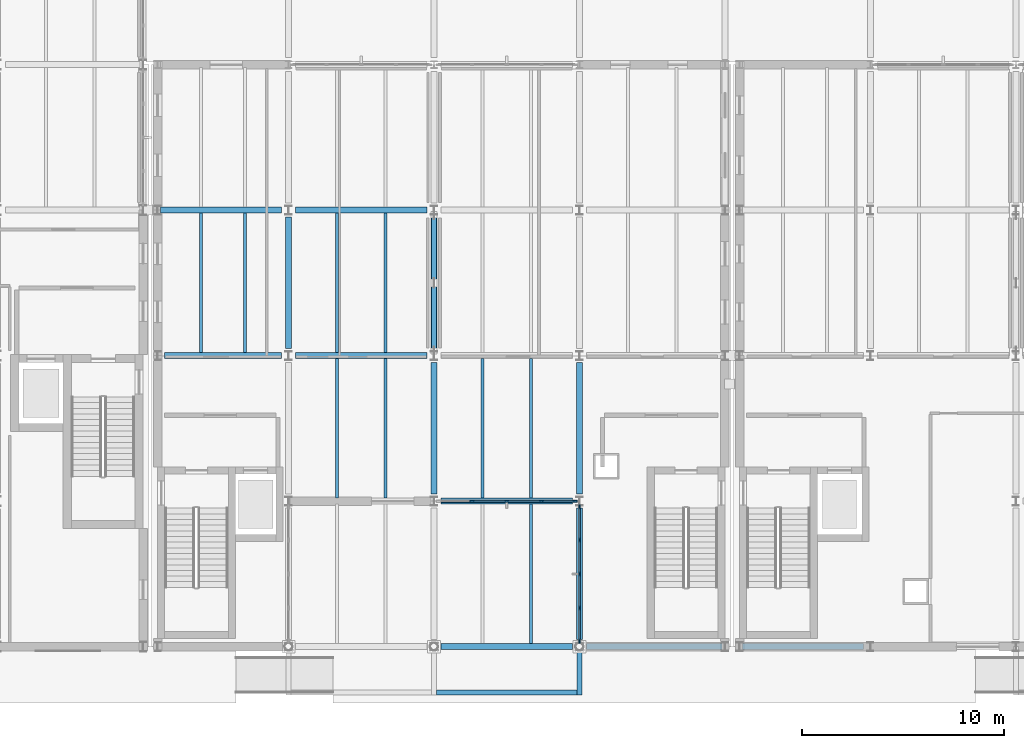
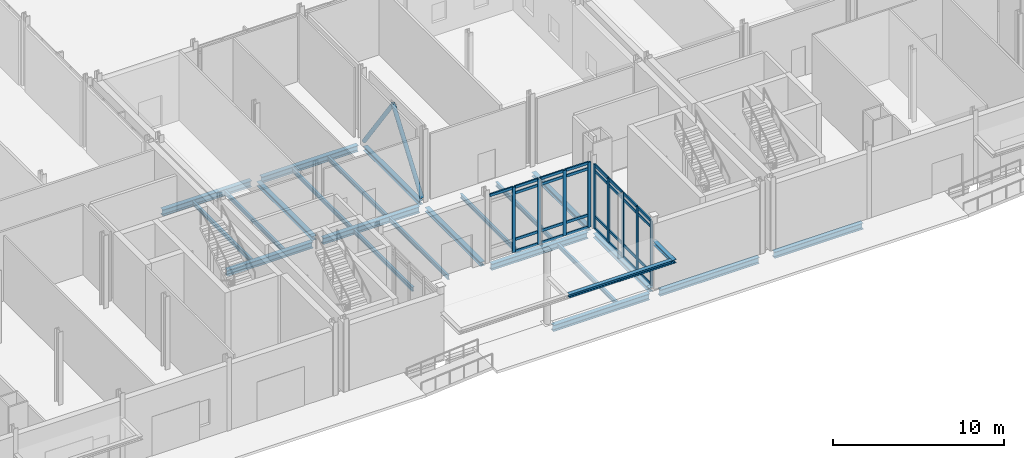
# One storey, part 14 of 89: 40 members, 24 beams, 2 elements without a shape of their own.
"""IFC4 building model written with IfcOpenShell, lengths in metres."""

from ifc_helpers import new_model, si_unit, direction, frame, origin, origin_2d, place, context, subcontext, project, spatial, rectangle, hollow_circle, i_section, extrude, material, layer, layer_set, material_profile, profile_set, type_object, element, aggregate, save


model = new_model("IFC4")

# Units and contexts
model_context = context("Model", 3, precision=1e-05, world=origin(), true_north=direction((0.0, 1.0)))
body_context = subcontext(model_context, "Body", "Model", "MODEL_VIEW")
ifc_project = project(units=[si_unit("LENGTHUNIT", "METRE"), si_unit("AREAUNIT", "SQUARE_METRE"), si_unit("VOLUMEUNIT", "CUBIC_METRE"), si_unit("PLANEANGLEUNIT", "RADIAN"), si_unit("MASSUNIT", "GRAM", prefix="KILO")], contexts=[model_context])

# Site, building, storey
site_placement = place(None, origin())
site = spatial("IfcSite", under=ifc_project, at=site_placement, CompositionType="ELEMENT")
building_placement = place(site_placement, origin())
building = spatial("IfcBuilding", under=site, at=building_placement, Name="Zarrinpeak Specialist Clinic", CompositionType="ELEMENT")
storey_placement = place(building_placement, origin())
storey = spatial("IfcBuildingStorey", under=building, at=storey_placement, Name="L00", CompositionType="ELEMENT", Elevation=0.0)

# Beams
ifc_material_1 = material(Name="Steel S355", Category="steel")
ifc_material_profile_1 = material_profile(ifc_material_1, i_section(OverallWidth=0.260009765625, OverallDepth=0.25, WebThickness=0.007568359375, FlangeThickness=0.012451171875, FilletRadius=0.02392578125, at=origin_2d()), Name="HEA 260")
ifc_profile_set_1 = profile_set([ifc_material_profile_1], Name="Steel S355")
beam_type_1 = type_object("IfcBeamType", Name="BM-HEA260", PredefinedType="BEAM", material=ifc_profile_set_1)
beam_1_placement = place(storey_placement, frame((50.39990234375, 0.0, 3.27490234375), z_axis=(0.0, -1.0, 0.0), x_axis=(1.0, 0.0, 0.0)))
element("IfcBeam", 1, at=beam_1_placement, inside=storey, type_object=beam_type_1, Name="V2 Promenade Arrival Loggia Forecourt Canopy Cantilever Bracket Beam 06", PredefinedType="BEAM", context=body_context, shape_type="SweptSolid", body=[
    extrude(i_section(OverallWidth=0.260009765625, OverallDepth=0.25, WebThickness=0.007568359375, FlangeThickness=0.012451171875, FilletRadius=0.02392578125, at=origin_2d()), origin(), (0.0, 0.0, 1.0), 2.39990234375),
])
beam_2_placement = place(storey_placement, frame((43.330078125, -2.27001953125, 3.27490234375), z_axis=(1.0, 0.0, 0.0), x_axis=(0.0, 1.0, 0.0)))
element("IfcBeam", 2, at=beam_2_placement, inside=storey, type_object=beam_type_1, Name="V2 Promenade Arrival Loggia Forecourt Canopy Front Edge Tie Beam 08", PredefinedType="BEAM", context=body_context, shape_type="SweptSolid", body=[
    extrude(i_section(OverallWidth=0.260009765625, OverallDepth=0.25, WebThickness=0.007568359375, FlangeThickness=0.012451171875, FilletRadius=0.02392578125, at=origin_2d()), origin(), (0.0, 0.0, 1.0), 6.93994140625),
])
ifc_material_profile_2 = material_profile(ifc_material_1, i_section(OverallWidth=0.300048828125, OverallDepth=0.2900390625, WebThickness=0.008544921875, FlangeThickness=0.013916015625, FilletRadius=0.027099609375, at=origin_2d()), Name="HEA 300")
ifc_profile_set_2 = profile_set([ifc_material_profile_2], Name="Steel S355")
beam_type_2 = type_object("IfcBeamType", Name="BM-HEA300", PredefinedType="BEAM", material=ifc_profile_set_2)
for number, where, z_axis, x_axis, name in (
    (3, (36.0, 14.748046875, -0.39501953125), (0.0, 1.0, 0.0), (-1.0, 0.0, 0.0), "L00 Primary Beam BM-L00-Y0265"),
    (4, (43.199951171875, 7.548095703125, -0.39501953125), (0.0, 1.0, 0.0), (-1.0, 0.0, 0.0), "L00 Primary Beam BM-L00-Y0279"),
    (5, (43.199951171875, 14.748046875, -0.39501953125), (0.0, 1.0, 0.0), (-1.0, 0.0, 0.0), "L00 Primary Beam BM-L00-Y0280"),
):
    element("IfcBeam", number, at=place(storey_placement, frame(where, z_axis=z_axis, x_axis=x_axis)), inside=storey, type_object=beam_type_2, Name=name, PredefinedType="BEAM", context=body_context, shape_type="SweptSolid", body=[
        extrude(i_section(OverallWidth=0.300048828125, OverallDepth=0.2900390625, WebThickness=0.008544921875, FlangeThickness=0.013916015625, FilletRadius=0.027099609375, at=origin_2d()), origin(), (0.0, 0.0, 1.0), 6.50390625),
    ])
beam_3_placement = place(storey_placement, frame((50.39990234375, 0.347900390625, -0.39501953125), z_axis=(0.0, 1.0, 0.0), x_axis=(-1.0, 0.0, 0.0)))
element("IfcBeam", 6, at=beam_3_placement, inside=storey, type_object=beam_type_2, Name="L00 Primary Beam BM-L00-Y0295", PredefinedType="BEAM", context=body_context, shape_type="SweptSolid", body=[
    extrude(i_section(OverallWidth=0.300048828125, OverallDepth=0.2900390625, WebThickness=0.008544921875, FlangeThickness=0.013916015625, FilletRadius=0.027099609375, at=origin_2d()), origin(), (0.0, 0.0, 1.0), 6.504150390625),
])
beam_4_placement = place(storey_placement, frame((50.39990234375, 7.548095703125, -0.39501953125), z_axis=(0.0, 1.0, 0.0), x_axis=(-1.0, 0.0, 0.0)))
element("IfcBeam", 7, at=beam_4_placement, inside=storey, type_object=beam_type_2, Name="L00 Primary Beam BM-L00-Y0296", PredefinedType="BEAM", context=body_context, shape_type="SweptSolid", body=[
    extrude(i_section(OverallWidth=0.300048828125, OverallDepth=0.2900390625, WebThickness=0.008544921875, FlangeThickness=0.013916015625, FilletRadius=0.027099609375, at=origin_2d()), origin(), (0.0, 0.0, 1.0), 6.50390625),
])
ifc_material_profile_3 = material_profile(ifc_material_1, i_section(OverallWidth=0.300048828125, OverallDepth=0.43994140625, WebThickness=0.011474609375, FlangeThickness=0.02099609375, FilletRadius=0.027099609375, at=origin_2d()), Name="HEA 450")
ifc_profile_set_3 = profile_set([ifc_material_profile_3], Name="Steel S355")
beam_type_3 = type_object("IfcBeamType", Name="BM-HEA450", PredefinedType="BEAM", material=ifc_profile_set_3)
beam_5_placement = place(storey_placement, frame((43.548095703125, 0.0, -0.469970703125), z_axis=(1.0, 0.0, 0.0), x_axis=(0.0, 1.0, 0.0)))
element("IfcBeam", 8, at=beam_5_placement, inside=storey, type_object=beam_type_3, Name="L00 Primary Floor Girder BM-L00-X0007", PredefinedType="BEAM", context=body_context, shape_type="SweptSolid", body=[
    extrude(i_section(OverallWidth=0.300048828125, OverallDepth=0.43994140625, WebThickness=0.011474609375, FlangeThickness=0.02099609375, FilletRadius=0.027099609375, at=origin_2d()), origin(), (0.0, 0.0, 1.0), 6.50390625),
])
beam_6_placement = place(storey_placement, frame((50.748046875, 0.0, -0.469970703125), z_axis=(1.0, 0.0, 0.0), x_axis=(0.0, 1.0, 0.0)))
element("IfcBeam", 9, at=beam_6_placement, inside=storey, type_object=beam_type_3, Name="L00 Primary Floor Girder BM-L00-X0008", PredefinedType="BEAM", context=body_context, shape_type="SweptSolid", body=[
    extrude(i_section(OverallWidth=0.300048828125, OverallDepth=0.43994140625, WebThickness=0.011474609375, FlangeThickness=0.02099609375, FilletRadius=0.027099609375, at=origin_2d()), origin(), (0.0, 0.0, 1.0), 6.703857421875),
])
beam_7_placement = place(storey_placement, frame((58.468017578125, 0.0, -0.469970703125), z_axis=(1.0, 0.0, 0.0), x_axis=(0.0, 1.0, 0.0)))
element("IfcBeam", 10, at=beam_7_placement, inside=storey, type_object=beam_type_3, Name="L00 Primary Floor Girder BM-L00-X0009", PredefinedType="BEAM", context=body_context, shape_type="SweptSolid", body=[
    extrude(i_section(OverallWidth=0.300048828125, OverallDepth=0.43994140625, WebThickness=0.011474609375, FlangeThickness=0.02099609375, FilletRadius=0.027099609375, at=origin_2d()), origin(), (0.0, 0.0, 1.0), 5.98388671875),
])
beam_8_placement = place(storey_placement, frame((43.548095703125, 7.199951171875, -0.469970703125), z_axis=(1.0, 0.0, 0.0), x_axis=(0.0, 1.0, 0.0)))
element("IfcBeam", 11, at=beam_8_placement, inside=storey, type_object=beam_type_3, Name="L00 Primary Floor Girder BM-L00-X0016", PredefinedType="BEAM", context=body_context, shape_type="SweptSolid", body=[
    extrude(i_section(OverallWidth=0.300048828125, OverallDepth=0.43994140625, WebThickness=0.011474609375, FlangeThickness=0.02099609375, FilletRadius=0.027099609375, at=origin_2d()), origin(), (0.0, 0.0, 1.0), 6.50390625),
])
beam_9_placement = place(storey_placement, frame((29.867919921875, 14.39990234375, -0.469970703125), z_axis=(1.0, 0.0, 0.0), x_axis=(0.0, 1.0, 0.0)))
element("IfcBeam", 12, at=beam_9_placement, inside=storey, type_object=beam_type_3, Name="L00 Primary Floor Girder BM-L00-X0020", PredefinedType="BEAM", context=body_context, shape_type="SweptSolid", body=[
    extrude(i_section(OverallWidth=0.300048828125, OverallDepth=0.43994140625, WebThickness=0.011474609375, FlangeThickness=0.02099609375, FilletRadius=0.027099609375, at=origin_2d()), origin(), (0.0, 0.0, 1.0), 5.7841796875),
])
beam_10_placement = place(storey_placement, frame((36.347900390625, 14.39990234375, -0.469970703125), z_axis=(1.0, 0.0, 0.0), x_axis=(0.0, 1.0, 0.0)))
element("IfcBeam", 13, at=beam_10_placement, inside=storey, type_object=beam_type_3, Name="L00 Primary Floor Girder BM-L00-X0021", PredefinedType="BEAM", context=body_context, shape_type="SweptSolid", body=[
    extrude(i_section(OverallWidth=0.300048828125, OverallDepth=0.43994140625, WebThickness=0.011474609375, FlangeThickness=0.02099609375, FilletRadius=0.027099609375, at=origin_2d()), origin(), (0.0, 0.0, 1.0), 6.504150390625),
])
beam_11_placement = place(storey_placement, frame((29.66796875, 21.60009765625, -0.469970703125), z_axis=(1.0, 0.0, 0.0), x_axis=(0.0, 1.0, 0.0)))
element("IfcBeam", 14, at=beam_11_placement, inside=storey, type_object=beam_type_3, Name="L00 Primary Floor Girder BM-L00-X0032", PredefinedType="BEAM", context=body_context, shape_type="SweptSolid", body=[
    extrude(i_section(OverallWidth=0.300048828125, OverallDepth=0.43994140625, WebThickness=0.011474609375, FlangeThickness=0.02099609375, FilletRadius=0.027099609375, at=origin_2d()), origin(), (0.0, 0.0, 1.0), 5.984130859375),
])
beam_12_placement = place(storey_placement, frame((36.347900390625, 21.60009765625, -0.469970703125), z_axis=(1.0, 0.0, 0.0), x_axis=(0.0, 1.0, 0.0)))
element("IfcBeam", 15, at=beam_12_placement, inside=storey, type_object=beam_type_3, Name="L00 Primary Floor Girder BM-L00-X0033", PredefinedType="BEAM", context=body_context, shape_type="SweptSolid", body=[
    extrude(i_section(OverallWidth=0.300048828125, OverallDepth=0.43994140625, WebThickness=0.011474609375, FlangeThickness=0.02099609375, FilletRadius=0.027099609375, at=origin_2d()), origin(), (0.0, 0.0, 1.0), 6.504150390625),
])
ifc_material_profile_4 = material_profile(ifc_material_1, i_section(OverallWidth=0.14990234375, OverallDepth=0.300048828125, WebThickness=0.007080078125, FlangeThickness=0.0107421875, FilletRadius=0.014892578125, at=origin_2d()), Name="IPE 300")
ifc_profile_set_4 = profile_set([ifc_material_profile_4], Name="Steel S355")
beam_type_4 = type_object("IfcBeamType", Name="BM-JST300", PredefinedType="JOIST", material=ifc_profile_set_4)
for number, where, z_axis, x_axis, name in (
    (16, (31.679931640625, 14.548095703125, -0.39990234375), (0.0, 1.0, 0.0), (-1.0, 0.0, 0.0), "L00 Composite Floor Joist JST-L00-0457"),
    (17, (33.840087890625, 14.548095703125, -0.39990234375), (0.0, 1.0, 0.0), (-1.0, 0.0, 0.0), "L00 Composite Floor Joist JST-L00-0458"),
):
    element("IfcBeam", number, at=place(storey_placement, frame(where, z_axis=z_axis, x_axis=x_axis)), inside=storey, type_object=beam_type_4, Name=name, PredefinedType="JOIST", context=body_context, shape_type="SweptSolid", body=[
        extrude(i_section(OverallWidth=0.14990234375, OverallDepth=0.300048828125, WebThickness=0.007080078125, FlangeThickness=0.0107421875, FilletRadius=0.014892578125, at=origin_2d()), origin(), (0.0, 0.0, 1.0), 6.90380859375),
    ])
for number, where, z_axis, x_axis, name in (
    (18, (38.39990234375, 7.347900390625, -0.39990234375), (0.0, 1.0, 0.0), (-1.0, 0.0, 0.0), "L00 Composite Floor Joist JST-L00-0463"),
    (19, (40.800048828125, 7.347900390625, -0.39990234375), (0.0, 1.0, 0.0), (-1.0, 0.0, 0.0), "L00 Composite Floor Joist JST-L00-0464"),
):
    element("IfcBeam", number, at=place(storey_placement, frame(where, z_axis=z_axis, x_axis=x_axis)), inside=storey, type_object=beam_type_4, Name=name, PredefinedType="JOIST", context=body_context, shape_type="SweptSolid", body=[
        extrude(i_section(OverallWidth=0.14990234375, OverallDepth=0.300048828125, WebThickness=0.007080078125, FlangeThickness=0.0107421875, FilletRadius=0.014892578125, at=origin_2d()), origin(), (0.0, 0.0, 1.0), 6.904052734375),
    ])
for number, where, z_axis, x_axis, name in (
    (20, (38.39990234375, 14.548095703125, -0.39990234375), (0.0, 1.0, 0.0), (-1.0, 0.0, 0.0), "L00 Composite Floor Joist JST-L00-0465"),
    (21, (40.800048828125, 14.548095703125, -0.39990234375), (0.0, 1.0, 0.0), (-1.0, 0.0, 0.0), "L00 Composite Floor Joist JST-L00-0466"),
):
    element("IfcBeam", number, at=place(storey_placement, frame(where, z_axis=z_axis, x_axis=x_axis)), inside=storey, type_object=beam_type_4, Name=name, PredefinedType="JOIST", context=body_context, shape_type="SweptSolid", body=[
        extrude(i_section(OverallWidth=0.14990234375, OverallDepth=0.300048828125, WebThickness=0.007080078125, FlangeThickness=0.0107421875, FilletRadius=0.014892578125, at=origin_2d()), origin(), (0.0, 0.0, 1.0), 6.90380859375),
    ])
for number, where, z_axis, x_axis, name in (
    (22, (48.0, 0.14794921875, -0.39990234375), (0.0, 1.0, 0.0), (-1.0, 0.0, 0.0), "L00 Composite Floor Joist JST-L00-0470"),
    (23, (45.60009765625, 7.347900390625, -0.39990234375), (0.0, 1.0, 0.0), (-1.0, 0.0, 0.0), "L00 Composite Floor Joist JST-L00-0471"),
    (24, (48.0, 7.347900390625, -0.39990234375), (0.0, 1.0, 0.0), (-1.0, 0.0, 0.0), "L00 Composite Floor Joist JST-L00-0472"),
):
    element("IfcBeam", number, at=place(storey_placement, frame(where, z_axis=z_axis, x_axis=x_axis)), inside=storey, type_object=beam_type_4, Name=name, PredefinedType="JOIST", context=body_context, shape_type="SweptSolid", body=[
        extrude(i_section(OverallWidth=0.14990234375, OverallDepth=0.300048828125, WebThickness=0.007080078125, FlangeThickness=0.0107421875, FilletRadius=0.014892578125, at=origin_2d()), origin(), (0.0, 0.0, 1.0), 6.904052734375),
    ])

# Curtain wall, members
ifc_material_2 = material(Name="Anodised Aluminium Alloy 6063-T6", Category="aluminium")
ifc_layer = layer(ifc_material_2, 0.18994140625)
ifc_layer_set = layer_set([ifc_layer], Name="Anodised Aluminium Alloy 6063-T6")
curtain_wall_type = type_object("IfcCurtainWallType", Name="CW-LOGGIA", PredefinedType="NOTDEFINED", material=ifc_layer_set)
curtain_wall_1_placement = place(storey_placement, origin())
curtain_wall_1 = element("IfcCurtainWall", 25, at=curtain_wall_1_placement, inside=storey, type_object=curtain_wall_type, Name="L00 V2 Unitised Curtain Wall CW-L00-V2-040", PredefinedType="NOTDEFINED")
ifc_material_profile_5 = material_profile(ifc_material_2, rectangle(XDim=0.090087890625, YDim=0.219970703125, at=origin_2d()), Name="ALU 90x220")
ifc_profile_set_5 = profile_set([ifc_material_profile_5], Name="Anodised Aluminium Alloy 6063-T6")
member_type_1 = type_object("IfcMemberType", Name="CWM-90", PredefinedType="MULLION", material=ifc_profile_set_5)
member_1_placement = place(storey_placement, frame((45.08740234375, 7.199951171875, 0.0), z_axis=(0.0, 0.0, 1.0), x_axis=(0.0, 1.0, 0.0)))
member_1 = element("IfcMember", 26, at=member_1_placement, type_object=member_type_1, Name="CW-04 mullion 2", PredefinedType="MULLION", context=body_context, shape_type="SweptSolid", body=[
    extrude(rectangle(XDim=0.090087890625, YDim=0.219970703125, at=origin_2d()), origin(), (0.0, 0.0, 1.0), 4.6650390625),
])
member_2_placement = place(storey_placement, frame((46.800048828125, 7.199951171875, 0.0), z_axis=(0.0, 0.0, 1.0), x_axis=(0.0, 1.0, 0.0)))
member_2 = element("IfcMember", 27, at=member_2_placement, type_object=member_type_1, Name="CW-04 mullion 3", PredefinedType="MULLION", context=body_context, shape_type="SweptSolid", body=[
    extrude(rectangle(XDim=0.090087890625, YDim=0.219970703125, at=origin_2d()), origin(), (0.0, 0.0, 1.0), 4.6650390625),
])
member_3_placement = place(storey_placement, frame((48.512451171875, 7.199951171875, 0.0), z_axis=(0.0, 0.0, 1.0), x_axis=(0.0, 1.0, 0.0)))
member_3 = element("IfcMember", 28, at=member_3_placement, type_object=member_type_1, Name="CW-04 mullion 4", PredefinedType="MULLION", context=body_context, shape_type="SweptSolid", body=[
    extrude(rectangle(XDim=0.090087890625, YDim=0.219970703125, at=origin_2d()), origin(), (0.0, 0.0, 1.0), 4.6650390625),
])
member_4_placement = place(storey_placement, frame((50.179931640625, 7.199951171875, 0.0), z_axis=(0.0, 0.0, 1.0), x_axis=(0.0, 1.0, 0.0)))
member_4 = element("IfcMember", 29, at=member_4_placement, type_object=member_type_1, Name="CW-04 mullion 5", PredefinedType="MULLION", context=body_context, shape_type="SweptSolid", body=[
    extrude(rectangle(XDim=0.090087890625, YDim=0.219970703125, at=origin_2d()), origin(), (0.0, 0.0, 1.0), 4.6650390625),
])

curtain_wall_2_placement = place(storey_placement, origin())
curtain_wall_2 = element("IfcCurtainWall", 30, at=curtain_wall_2_placement, inside=storey, type_object=curtain_wall_type, Name="L00 V2 Unitised Curtain Wall CW-L00-V2-042", PredefinedType="NOTDEFINED")
member_5_placement = place(storey_placement, frame((50.39990234375, 6.905029296875, 0.0), z_axis=(0.0, 0.0, 1.0), x_axis=(1.0, 0.0, 0.0)))
member_5 = element("IfcMember", 31, at=member_5_placement, type_object=member_type_1, Name="CW-04 mullion 1", PredefinedType="MULLION", context=body_context, shape_type="SweptSolid", body=[
    extrude(rectangle(XDim=0.090087890625, YDim=0.219970703125, at=origin_2d()), origin(), (0.0, 0.0, 1.0), 4.594970703125),
])
member_6_placement = place(storey_placement, frame((50.39990234375, 5.26953125, 0.0), z_axis=(0.0, 0.0, 1.0), x_axis=(1.0, 0.0, 0.0)))
member_6 = element("IfcMember", 32, at=member_6_placement, type_object=member_type_1, Name="CW-04 mullion 2", PredefinedType="MULLION", context=body_context, shape_type="SweptSolid", body=[
    extrude(rectangle(XDim=0.090087890625, YDim=0.219970703125, at=origin_2d()), origin(), (0.0, 0.0, 1.0), 4.594970703125),
])
member_7_placement = place(storey_placement, frame((50.39990234375, 3.589111328125, 0.0), z_axis=(0.0, 0.0, 1.0), x_axis=(1.0, 0.0, 0.0)))
member_7 = element("IfcMember", 33, at=member_7_placement, type_object=member_type_1, Name="CW-04 mullion 3", PredefinedType="MULLION", context=body_context, shape_type="SweptSolid", body=[
    extrude(rectangle(XDim=0.090087890625, YDim=0.219970703125, at=origin_2d()), origin(), (0.0, 0.0, 1.0), 4.594970703125),
])
member_8_placement = place(storey_placement, frame((50.39990234375, 1.90869140625, 0.0), z_axis=(0.0, 0.0, 1.0), x_axis=(1.0, 0.0, 0.0)))
member_8 = element("IfcMember", 34, at=member_8_placement, type_object=member_type_1, Name="CW-04 mullion 4", PredefinedType="MULLION", context=body_context, shape_type="SweptSolid", body=[
    extrude(rectangle(XDim=0.090087890625, YDim=0.219970703125, at=origin_2d()), origin(), (0.0, 0.0, 1.0), 4.594970703125),
])
member_9_placement = place(storey_placement, frame((50.39990234375, 0.273193359375, 0.0), z_axis=(0.0, 0.0, 1.0), x_axis=(1.0, 0.0, 0.0)))
member_9 = element("IfcMember", 35, at=member_9_placement, type_object=member_type_1, Name="CW-04 mullion 5", PredefinedType="MULLION", context=body_context, shape_type="SweptSolid", body=[
    extrude(rectangle(XDim=0.090087890625, YDim=0.219970703125, at=origin_2d()), origin(), (0.0, 0.0, 1.0), 4.594970703125),
])

# Member
ifc_material_profile_6 = material_profile(ifc_material_2, rectangle(XDim=0.090087890625, YDim=0.18994140625, at=origin_2d()), Name="ALU 90x190")
ifc_profile_set_6 = profile_set([ifc_material_profile_6], Name="Anodised Aluminium Alloy 6063-T6")
member_type_2 = type_object("IfcMemberType", Name="CWT-90", PredefinedType="USERDEFINED", material=ifc_profile_set_6)
member_10_placement = place(storey_placement, frame((43.465087890625, 7.199951171875, 4.6201171875), z_axis=(1.0, 0.0, 0.0), x_axis=(0.0, 1.0, 0.0)))
member_10 = element("IfcMember", 36, at=member_10_placement, type_object=member_type_2, Name="CW-04 transom 1.4", ObjectType="TRANSOM", PredefinedType="USERDEFINED", context=body_context, shape_type="SweptSolid", body=[
    extrude(rectangle(XDim=0.090087890625, YDim=0.18994140625, at=origin_2d()), origin(), (0.0, 0.0, 1.0), 1.577392578125),
])

member_11_placement = place(storey_placement, frame((45.132568359375, 7.199951171875, 0.044921875), z_axis=(1.0, 0.0, 0.0), x_axis=(0.0, 1.0, 0.0)))
member_11 = element("IfcMember", 37, at=member_11_placement, type_object=member_type_2, Name="CW-04 transom 2.1", ObjectType="TRANSOM", PredefinedType="USERDEFINED", context=body_context, shape_type="SweptSolid", body=[
    extrude(rectangle(XDim=0.090087890625, YDim=0.18994140625, at=origin_2d()), origin(), (0.0, 0.0, 1.0), 1.622314453125),
])

member_12_placement = place(storey_placement, frame((45.132568359375, 7.199951171875, 0.89990234375), z_axis=(1.0, 0.0, 0.0), x_axis=(0.0, 1.0, 0.0)))
member_12 = element("IfcMember", 38, at=member_12_placement, type_object=member_type_2, Name="CW-04 transom 2.2", ObjectType="TRANSOM", PredefinedType="USERDEFINED", context=body_context, shape_type="SweptSolid", body=[
    extrude(rectangle(XDim=0.090087890625, YDim=0.18994140625, at=origin_2d()), origin(), (0.0, 0.0, 1.0), 1.622314453125),
])

member_13_placement = place(storey_placement, frame((45.132568359375, 7.199951171875, 4.215087890625), z_axis=(1.0, 0.0, 0.0), x_axis=(0.0, 1.0, 0.0)))
member_13 = element("IfcMember", 39, at=member_13_placement, type_object=member_type_2, Name="CW-04 transom 2.3", ObjectType="TRANSOM", PredefinedType="USERDEFINED", context=body_context, shape_type="SweptSolid", body=[
    extrude(rectangle(XDim=0.090087890625, YDim=0.18994140625, at=origin_2d()), origin(), (0.0, 0.0, 1.0), 1.622314453125),
])

member_14_placement = place(storey_placement, frame((45.132568359375, 7.199951171875, 4.6201171875), z_axis=(1.0, 0.0, 0.0), x_axis=(0.0, 1.0, 0.0)))
member_14 = element("IfcMember", 40, at=member_14_placement, type_object=member_type_2, Name="CW-04 transom 2.4", ObjectType="TRANSOM", PredefinedType="USERDEFINED", context=body_context, shape_type="SweptSolid", body=[
    extrude(rectangle(XDim=0.090087890625, YDim=0.18994140625, at=origin_2d()), origin(), (0.0, 0.0, 1.0), 1.622314453125),
])

member_15_placement = place(storey_placement, frame((46.844970703125, 7.199951171875, 0.044921875), z_axis=(1.0, 0.0, 0.0), x_axis=(0.0, 1.0, 0.0)))
member_15 = element("IfcMember", 41, at=member_15_placement, type_object=member_type_2, Name="CW-04 transom 3.1", ObjectType="TRANSOM", PredefinedType="USERDEFINED", context=body_context, shape_type="SweptSolid", body=[
    extrude(rectangle(XDim=0.090087890625, YDim=0.18994140625, at=origin_2d()), origin(), (0.0, 0.0, 1.0), 1.62255859375),
])

member_16_placement = place(storey_placement, frame((46.844970703125, 7.199951171875, 0.89990234375), z_axis=(1.0, 0.0, 0.0), x_axis=(0.0, 1.0, 0.0)))
member_16 = element("IfcMember", 42, at=member_16_placement, type_object=member_type_2, Name="CW-04 transom 3.2", ObjectType="TRANSOM", PredefinedType="USERDEFINED", context=body_context, shape_type="SweptSolid", body=[
    extrude(rectangle(XDim=0.090087890625, YDim=0.18994140625, at=origin_2d()), origin(), (0.0, 0.0, 1.0), 1.62255859375),
])

member_17_placement = place(storey_placement, frame((46.844970703125, 7.199951171875, 4.215087890625), z_axis=(1.0, 0.0, 0.0), x_axis=(0.0, 1.0, 0.0)))
member_17 = element("IfcMember", 43, at=member_17_placement, type_object=member_type_2, Name="CW-04 transom 3.3", ObjectType="TRANSOM", PredefinedType="USERDEFINED", context=body_context, shape_type="SweptSolid", body=[
    extrude(rectangle(XDim=0.090087890625, YDim=0.18994140625, at=origin_2d()), origin(), (0.0, 0.0, 1.0), 1.62255859375),
])

member_18_placement = place(storey_placement, frame((46.844970703125, 7.199951171875, 4.6201171875), z_axis=(1.0, 0.0, 0.0), x_axis=(0.0, 1.0, 0.0)))
member_18 = element("IfcMember", 44, at=member_18_placement, type_object=member_type_2, Name="CW-04 transom 3.4", ObjectType="TRANSOM", PredefinedType="USERDEFINED", context=body_context, shape_type="SweptSolid", body=[
    extrude(rectangle(XDim=0.090087890625, YDim=0.18994140625, at=origin_2d()), origin(), (0.0, 0.0, 1.0), 1.62255859375),
])

member_19_placement = place(storey_placement, frame((48.5576171875, 7.199951171875, 0.044921875), z_axis=(1.0, 0.0, 0.0), x_axis=(0.0, 1.0, 0.0)))
member_19 = element("IfcMember", 45, at=member_19_placement, type_object=member_type_2, Name="CW-04 transom 4.1", ObjectType="TRANSOM", PredefinedType="USERDEFINED", context=body_context, shape_type="SweptSolid", body=[
    extrude(rectangle(XDim=0.090087890625, YDim=0.18994140625, at=origin_2d()), origin(), (0.0, 0.0, 1.0), 1.577392578125),
])

member_20_placement = place(storey_placement, frame((48.5576171875, 7.199951171875, 0.89990234375), z_axis=(1.0, 0.0, 0.0), x_axis=(0.0, 1.0, 0.0)))
member_20 = element("IfcMember", 46, at=member_20_placement, type_object=member_type_2, Name="CW-04 transom 4.2", ObjectType="TRANSOM", PredefinedType="USERDEFINED", context=body_context, shape_type="SweptSolid", body=[
    extrude(rectangle(XDim=0.090087890625, YDim=0.18994140625, at=origin_2d()), origin(), (0.0, 0.0, 1.0), 1.577392578125),
])

member_21_placement = place(storey_placement, frame((48.5576171875, 7.199951171875, 4.215087890625), z_axis=(1.0, 0.0, 0.0), x_axis=(0.0, 1.0, 0.0)))
member_21 = element("IfcMember", 47, at=member_21_placement, type_object=member_type_2, Name="CW-04 transom 4.3", ObjectType="TRANSOM", PredefinedType="USERDEFINED", context=body_context, shape_type="SweptSolid", body=[
    extrude(rectangle(XDim=0.090087890625, YDim=0.18994140625, at=origin_2d()), origin(), (0.0, 0.0, 1.0), 1.577392578125),
])

member_22_placement = place(storey_placement, frame((48.5576171875, 7.199951171875, 4.6201171875), z_axis=(1.0, 0.0, 0.0), x_axis=(0.0, 1.0, 0.0)))
member_22 = element("IfcMember", 48, at=member_22_placement, type_object=member_type_2, Name="CW-04 transom 4.4", ObjectType="TRANSOM", PredefinedType="USERDEFINED", context=body_context, shape_type="SweptSolid", body=[
    extrude(rectangle(XDim=0.090087890625, YDim=0.18994140625, at=origin_2d()), origin(), (0.0, 0.0, 1.0), 1.577392578125),
])

aggregate(curtain_wall_1, [member_1, member_2, member_3, member_4, member_10, member_11, member_12, member_13, member_14, member_15, member_16, member_17, member_18, member_19, member_20, member_21, member_22])

member_23_placement = place(storey_placement, frame((50.39990234375, 6.860107421875, 0.044921875), z_axis=(0.0, -1.0, 0.0), x_axis=(1.0, 0.0, 0.0)))
member_23 = element("IfcMember", 49, at=member_23_placement, type_object=member_type_2, Name="CW-04 transom 1.1", ObjectType="TRANSOM", PredefinedType="USERDEFINED", context=body_context, shape_type="SweptSolid", body=[
    extrude(rectangle(XDim=0.090087890625, YDim=0.18994140625, at=origin_2d()), origin(), (0.0, 0.0, 1.0), 1.545654296875),
])

member_24_placement = place(storey_placement, frame((50.39990234375, 6.860107421875, 0.89990234375), z_axis=(0.0, -1.0, 0.0), x_axis=(1.0, 0.0, 0.0)))
member_24 = element("IfcMember", 50, at=member_24_placement, type_object=member_type_2, Name="CW-04 transom 1.2", ObjectType="TRANSOM", PredefinedType="USERDEFINED", context=body_context, shape_type="SweptSolid", body=[
    extrude(rectangle(XDim=0.090087890625, YDim=0.18994140625, at=origin_2d()), origin(), (0.0, 0.0, 1.0), 1.545654296875),
])

member_25_placement = place(storey_placement, frame((50.39990234375, 6.860107421875, 4.14501953125), z_axis=(0.0, -1.0, 0.0), x_axis=(1.0, 0.0, 0.0)))
member_25 = element("IfcMember", 51, at=member_25_placement, type_object=member_type_2, Name="CW-04 transom 1.3", ObjectType="TRANSOM", PredefinedType="USERDEFINED", context=body_context, shape_type="SweptSolid", body=[
    extrude(rectangle(XDim=0.090087890625, YDim=0.18994140625, at=origin_2d()), origin(), (0.0, 0.0, 1.0), 1.545654296875),
])

member_26_placement = place(storey_placement, frame((50.39990234375, 6.860107421875, 4.550048828125), z_axis=(0.0, -1.0, 0.0), x_axis=(1.0, 0.0, 0.0)))
member_26 = element("IfcMember", 52, at=member_26_placement, type_object=member_type_2, Name="CW-04 transom 1.4", ObjectType="TRANSOM", PredefinedType="USERDEFINED", context=body_context, shape_type="SweptSolid", body=[
    extrude(rectangle(XDim=0.090087890625, YDim=0.18994140625, at=origin_2d()), origin(), (0.0, 0.0, 1.0), 1.545654296875),
])

member_27_placement = place(storey_placement, frame((50.39990234375, 5.224609375, 0.044921875), z_axis=(0.0, -1.0, 0.0), x_axis=(1.0, 0.0, 0.0)))
member_27 = element("IfcMember", 53, at=member_27_placement, type_object=member_type_2, Name="CW-04 transom 2.1", ObjectType="TRANSOM", PredefinedType="USERDEFINED", context=body_context, shape_type="SweptSolid", body=[
    extrude(rectangle(XDim=0.090087890625, YDim=0.18994140625, at=origin_2d()), origin(), (0.0, 0.0, 1.0), 1.590576171875),
])

member_28_placement = place(storey_placement, frame((50.39990234375, 5.224609375, 0.89990234375), z_axis=(0.0, -1.0, 0.0), x_axis=(1.0, 0.0, 0.0)))
member_28 = element("IfcMember", 54, at=member_28_placement, type_object=member_type_2, Name="CW-04 transom 2.2", ObjectType="TRANSOM", PredefinedType="USERDEFINED", context=body_context, shape_type="SweptSolid", body=[
    extrude(rectangle(XDim=0.090087890625, YDim=0.18994140625, at=origin_2d()), origin(), (0.0, 0.0, 1.0), 1.590576171875),
])

member_29_placement = place(storey_placement, frame((50.39990234375, 5.224609375, 4.14501953125), z_axis=(0.0, -1.0, 0.0), x_axis=(1.0, 0.0, 0.0)))
member_29 = element("IfcMember", 55, at=member_29_placement, type_object=member_type_2, Name="CW-04 transom 2.3", ObjectType="TRANSOM", PredefinedType="USERDEFINED", context=body_context, shape_type="SweptSolid", body=[
    extrude(rectangle(XDim=0.090087890625, YDim=0.18994140625, at=origin_2d()), origin(), (0.0, 0.0, 1.0), 1.590576171875),
])

member_30_placement = place(storey_placement, frame((50.39990234375, 5.224609375, 4.550048828125), z_axis=(0.0, -1.0, 0.0), x_axis=(1.0, 0.0, 0.0)))
member_30 = element("IfcMember", 56, at=member_30_placement, type_object=member_type_2, Name="CW-04 transom 2.4", ObjectType="TRANSOM", PredefinedType="USERDEFINED", context=body_context, shape_type="SweptSolid", body=[
    extrude(rectangle(XDim=0.090087890625, YDim=0.18994140625, at=origin_2d()), origin(), (0.0, 0.0, 1.0), 1.590576171875),
])

member_31_placement = place(storey_placement, frame((50.39990234375, 3.544189453125, 0.044921875), z_axis=(0.0, -1.0, 0.0), x_axis=(1.0, 0.0, 0.0)))
member_31 = element("IfcMember", 57, at=member_31_placement, type_object=member_type_2, Name="CW-04 transom 3.1", ObjectType="TRANSOM", PredefinedType="USERDEFINED", context=body_context, shape_type="SweptSolid", body=[
    extrude(rectangle(XDim=0.090087890625, YDim=0.18994140625, at=origin_2d()), origin(), (0.0, 0.0, 1.0), 1.590576171875),
])

member_32_placement = place(storey_placement, frame((50.39990234375, 3.544189453125, 0.89990234375), z_axis=(0.0, -1.0, 0.0), x_axis=(1.0, 0.0, 0.0)))
member_32 = element("IfcMember", 58, at=member_32_placement, type_object=member_type_2, Name="CW-04 transom 3.2", ObjectType="TRANSOM", PredefinedType="USERDEFINED", context=body_context, shape_type="SweptSolid", body=[
    extrude(rectangle(XDim=0.090087890625, YDim=0.18994140625, at=origin_2d()), origin(), (0.0, 0.0, 1.0), 1.590576171875),
])

member_33_placement = place(storey_placement, frame((50.39990234375, 3.544189453125, 4.14501953125), z_axis=(0.0, -1.0, 0.0), x_axis=(1.0, 0.0, 0.0)))
member_33 = element("IfcMember", 59, at=member_33_placement, type_object=member_type_2, Name="CW-04 transom 3.3", ObjectType="TRANSOM", PredefinedType="USERDEFINED", context=body_context, shape_type="SweptSolid", body=[
    extrude(rectangle(XDim=0.090087890625, YDim=0.18994140625, at=origin_2d()), origin(), (0.0, 0.0, 1.0), 1.590576171875),
])

member_34_placement = place(storey_placement, frame((50.39990234375, 3.544189453125, 4.550048828125), z_axis=(0.0, -1.0, 0.0), x_axis=(1.0, 0.0, 0.0)))
member_34 = element("IfcMember", 60, at=member_34_placement, type_object=member_type_2, Name="CW-04 transom 3.4", ObjectType="TRANSOM", PredefinedType="USERDEFINED", context=body_context, shape_type="SweptSolid", body=[
    extrude(rectangle(XDim=0.090087890625, YDim=0.18994140625, at=origin_2d()), origin(), (0.0, 0.0, 1.0), 1.590576171875),
])

member_35_placement = place(storey_placement, frame((50.39990234375, 1.86376953125, 0.044921875), z_axis=(0.0, -1.0, 0.0), x_axis=(1.0, 0.0, 0.0)))
member_35 = element("IfcMember", 61, at=member_35_placement, type_object=member_type_2, Name="CW-04 transom 4.1", ObjectType="TRANSOM", PredefinedType="USERDEFINED", context=body_context, shape_type="SweptSolid", body=[
    extrude(rectangle(XDim=0.090087890625, YDim=0.18994140625, at=origin_2d()), origin(), (0.0, 0.0, 1.0), 1.545654296875),
])

member_36_placement = place(storey_placement, frame((50.39990234375, 1.86376953125, 0.89990234375), z_axis=(0.0, -1.0, 0.0), x_axis=(1.0, 0.0, 0.0)))
member_36 = element("IfcMember", 62, at=member_36_placement, type_object=member_type_2, Name="CW-04 transom 4.2", ObjectType="TRANSOM", PredefinedType="USERDEFINED", context=body_context, shape_type="SweptSolid", body=[
    extrude(rectangle(XDim=0.090087890625, YDim=0.18994140625, at=origin_2d()), origin(), (0.0, 0.0, 1.0), 1.545654296875),
])

member_37_placement = place(storey_placement, frame((50.39990234375, 1.86376953125, 4.14501953125), z_axis=(0.0, -1.0, 0.0), x_axis=(1.0, 0.0, 0.0)))
member_37 = element("IfcMember", 63, at=member_37_placement, type_object=member_type_2, Name="CW-04 transom 4.3", ObjectType="TRANSOM", PredefinedType="USERDEFINED", context=body_context, shape_type="SweptSolid", body=[
    extrude(rectangle(XDim=0.090087890625, YDim=0.18994140625, at=origin_2d()), origin(), (0.0, 0.0, 1.0), 1.545654296875),
])

member_38_placement = place(storey_placement, frame((50.39990234375, 1.86376953125, 4.550048828125), z_axis=(0.0, -1.0, 0.0), x_axis=(1.0, 0.0, 0.0)))
member_38 = element("IfcMember", 64, at=member_38_placement, type_object=member_type_2, Name="CW-04 transom 4.4", ObjectType="TRANSOM", PredefinedType="USERDEFINED", context=body_context, shape_type="SweptSolid", body=[
    extrude(rectangle(XDim=0.090087890625, YDim=0.18994140625, at=origin_2d()), origin(), (0.0, 0.0, 1.0), 1.545654296875),
])

aggregate(curtain_wall_2, [member_5, member_6, member_7, member_8, member_9, member_23, member_24, member_25, member_26, member_27, member_28, member_29, member_30, member_31, member_32, member_33, member_34, member_35, member_36, member_37, member_38])

# Members
ifc_material_profile_7 = material_profile(ifc_material_1, hollow_circle(Radius=0.136474609375, WallThickness=0.012451171875, at=origin_2d()), Name="CHS 273.0x12.5")
ifc_profile_set_7 = profile_set([ifc_material_profile_7], Name="Steel S355")
member_type_3 = type_object("IfcMemberType", Name="MB-BR273", PredefinedType="BRACE", material=ifc_profile_set_7)
for number, where, z_axis, x_axis, name in (
    (65, (43.199951171875, 14.625, 0.0048828125), (0.0, 0.585328218898, 0.810796445578), (-1.0, 0.0, 0.0), "V2 L00 Seismic Concentric Brace CBF-015"),
    (66, (43.199951171875, 21.375, 0.0048828125), (0.0, -0.585328218898, 0.810796445578), (1.0, 0.0, 0.0), "V2 L00 Seismic Concentric Brace CBF-016"),
):
    element("IfcMember", number, at=place(storey_placement, frame(where, z_axis=z_axis, x_axis=x_axis)), inside=storey, type_object=member_type_3, Name=name, PredefinedType="BRACE", context=body_context, shape_type="SweptSolid", body=[
        extrude(hollow_circle(Radius=0.136474609375, WallThickness=0.012451171875, at=origin_2d()), origin(), (0.0, 0.0, 1.0), 5.76611328125),
    ])

save(model, "model.ifc")
